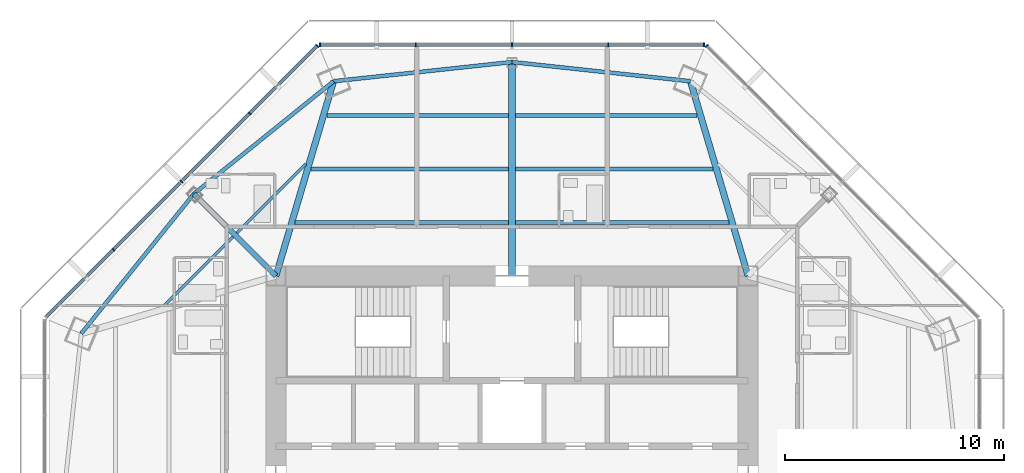
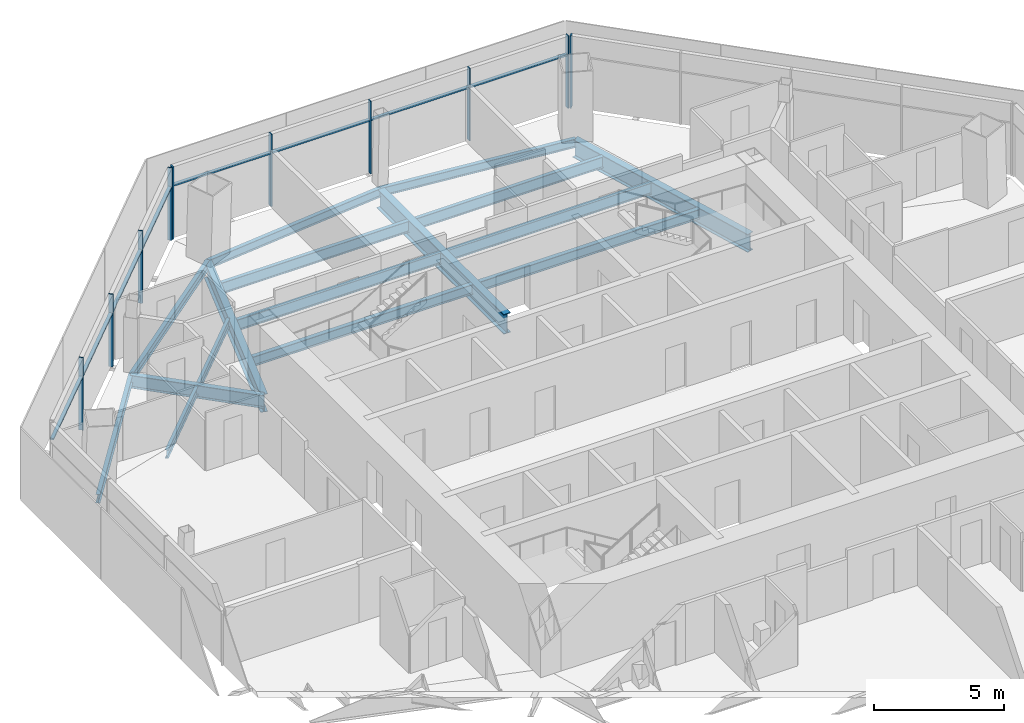
# One storey, part 6 of 15: 18 members, 16 beams, 3 elements without a shape of their own.
"""IFC4 building model written with IfcOpenShell, lengths in metres."""

from ifc_helpers import new_model, si_unit, direction, frame, origin, origin_2d, place, context, subcontext, project, spatial, rectangle, i_section, extrude, source, transform, mapped, material, material_profile, profile_set, type_object, type_shapes, element, aggregate, save


model = new_model("IFC4")

# Units and contexts
model_context = context("Model", 3, precision=1e-05, world=origin(), true_north=direction((0.0, 1.0)))
body_context = subcontext(model_context, "Body", "Model", "MODEL_VIEW")
ifc_project = project(units=[si_unit("LENGTHUNIT", "METRE"), si_unit("AREAUNIT", "SQUARE_METRE"), si_unit("VOLUMEUNIT", "CUBIC_METRE"), si_unit("PLANEANGLEUNIT", "RADIAN"), si_unit("MASSUNIT", "GRAM", prefix="KILO")], contexts=[model_context])

# Site, building, storey
site_placement = place(None, origin())
site = spatial("IfcSite", under=ifc_project, at=site_placement, CompositionType="ELEMENT")
building_placement = place(site_placement, origin())
building = spatial("IfcBuilding", under=site, at=building_placement, Name="Mashrafa Tower", CompositionType="ELEMENT")
storey_placement = place(building_placement, frame((0.0, 0.0, 234.60009765625)))
storey = spatial("IfcBuildingStorey", under=building, at=storey_placement, Name="L55", CompositionType="ELEMENT", Elevation=234.60009765625)

# Beams
ifc_material_1 = material(Name="Steel ASTM A992", Category="steel")
ifc_material_profile_1 = material_profile(ifc_material_1, i_section(OverallWidth=0.140380859375, OverallDepth=0.40380859375, WebThickness=0.007080078125, FlangeThickness=0.01123046875, FilletRadius=0.01025390625, at=origin_2d()), Name="W16X31")
ifc_profile_set_1 = profile_set([ifc_material_profile_1], Name="Steel ASTM A992")
beam_type_1 = type_object("IfcBeamType", Name="Beam W16X31", PredefinedType="BEAM", material=ifc_profile_set_1)
for number, where, z_axis, x_axis, name in (
    (1, (-15.918701171875, 9.436279296875, -0.402099609375), (0.707106781187, 0.707106781187, 0.0), (-0.707106781187, 0.707106781187, 0.0), "Floor beam L55 003"),
    (2, (-12.5966796875, 12.75830078125, -0.402099609375), (0.707106781187, 0.707106781187, 0.0), (-0.707106781187, 0.707106781187, 0.0), "Floor beam L55 009"),
):
    element("IfcBeam", number, at=place(storey_placement, frame(where, z_axis=z_axis, x_axis=x_axis)), inside=storey, type_object=beam_type_1, Name=name, PredefinedType="BEAM", context=body_context, shape_type="SweptSolid", body=[
        extrude(i_section(OverallWidth=0.140380859375, OverallDepth=0.40380859375, WebThickness=0.007080078125, FlangeThickness=0.01123046875, FilletRadius=0.01025390625, at=origin_2d()), origin(), (0.0, 0.0, 1.0), 4.469482421875),
    ])
ifc_material_2 = material(Name="Steel ASTM A992", Category="steel")
ifc_material_profile_2 = material_profile(ifc_material_2, i_section(OverallWidth=0.177734375, OverallDepth=0.406494140625, WebThickness=0.0078125, FlangeThickness=0.012939453125, FilletRadius=0.01025390625, at=origin_2d()), Name="W16X40")
ifc_profile_set_2 = profile_set([ifc_material_profile_2], Name="Steel ASTM A992")
beam_type_2 = type_object("IfcBeamType", Name="Beam W16X40", PredefinedType="BEAM", material=ifc_profile_set_2)
for number, where, z_axis, x_axis, name in (
    (3, (-14.554931640625, 14.554931640625, -0.4033203125), (-0.627425720942, -0.778676418482, 0.0), (0.778676418482, -0.627425720942, 0.0), "Spandrel beam L55 053"),
    (4, (-8.162353515625, 19.705810546875, -0.4033203125), (-0.778676418482, -0.627425720942, 0.0), (0.627425720942, -0.778676418482, 0.0), "Spandrel beam L55 055"),
    (5, (0.0, 20.583984375, -0.4033203125), (-0.994262142726, -0.106970984578, 0.0), (0.106970984578, -0.994262142726, 0.0), "Spandrel beam L55 057"),
    (6, (8.162353515625, 19.705810546875, -0.4033203125), (-0.994262142726, 0.106970984578, 0.0), (-0.106970984578, -0.994262142726, 0.0), "Spandrel beam L55 059"),
):
    element("IfcBeam", number, at=place(storey_placement, frame(where, z_axis=z_axis, x_axis=x_axis)), inside=storey, type_object=beam_type_2, Name=name, PredefinedType="BEAM", context=body_context, shape_type="SweptSolid", body=[
        extrude(i_section(OverallWidth=0.177734375, OverallDepth=0.406494140625, WebThickness=0.0078125, FlangeThickness=0.012939453125, FilletRadius=0.01025390625, at=origin_2d()), origin(), (0.0, 0.0, 1.0), 8.20947265625),
    ])
ifc_material_3 = material(Name="Steel ASTM A992", Category="steel")
ifc_material_profile_3 = material_profile(ifc_material_3, i_section(OverallWidth=0.191162109375, OverallDepth=0.459716796875, WebThickness=0.010009765625, FlangeThickness=0.01611328125, FilletRadius=0.01025390625, at=origin_2d()), Name="W18X55")
ifc_profile_set_3 = profile_set([ifc_material_profile_3], Name="Steel ASTM A992")
beam_type_3 = type_object("IfcBeamType", Name="Beam W18X55", PredefinedType="BEAM", material=ifc_profile_set_3)
for number, where, z_axis, x_axis, name in (
    (7, (-9.92333984375, 13.24609375, -0.429931640625), (1.0, 0.0, 0.0), (0.0, 1.0, 0.0), "Floor beam L55 010"),
    (8, (0.15380859375, 13.24609375, -0.429931640625), (1.0, 0.0, 0.0), (0.0, 1.0, 0.0), "Floor beam L55 017"),
):
    element("IfcBeam", number, at=place(storey_placement, frame(where, z_axis=z_axis, x_axis=x_axis)), inside=storey, type_object=beam_type_3, Name=name, PredefinedType="BEAM", context=body_context, shape_type="SweptSolid", body=[
        extrude(i_section(OverallWidth=0.191162109375, OverallDepth=0.459716796875, WebThickness=0.010009765625, FlangeThickness=0.01611328125, FilletRadius=0.01025390625, at=origin_2d()), origin(), (0.0, 0.0, 1.0), 9.76953125),
    ])
ifc_material_4 = material(Name="Steel ASTM A992", Category="steel")
ifc_material_profile_4 = material_profile(ifc_material_4, i_section(OverallWidth=0.1650390625, OverallDepth=0.52587890625, WebThickness=0.0087890625, FlangeThickness=0.011474609375, FilletRadius=0.0126953125, at=origin_2d()), Name="W21X44")
ifc_profile_set_4 = profile_set([ifc_material_profile_4], Name="Steel ASTM A992")
beam_type_4 = type_object("IfcBeamType", Name="Beam W21X44", PredefinedType="BEAM", material=ifc_profile_set_4)
for number, where, z_axis, x_axis, name in (
    (9, (-9.198974609375, 15.69189453125, -0.462890625), (1.0, 0.0, 0.0), (0.0, 1.0, 0.0), "Floor beam L55 011"),
    (10, (0.15380859375, 15.69189453125, -0.462890625), (1.0, 0.0, 0.0), (0.0, 1.0, 0.0), "Floor beam L55 018"),
):
    element("IfcBeam", number, at=place(storey_placement, frame(where, z_axis=z_axis, x_axis=x_axis)), inside=storey, type_object=beam_type_4, Name=name, PredefinedType="BEAM", context=body_context, shape_type="SweptSolid", body=[
        extrude(i_section(OverallWidth=0.1650390625, OverallDepth=0.52587890625, WebThickness=0.0087890625, FlangeThickness=0.011474609375, FilletRadius=0.0126953125, at=origin_2d()), origin(), (0.0, 0.0, 1.0), 9.045166015625),
    ])
ifc_material_5 = material(Name="Steel ASTM A992", Category="steel")
ifc_material_profile_5 = material_profile(ifc_material_5, i_section(OverallWidth=0.165771484375, OverallDepth=0.5283203125, WebThickness=0.009765625, FlangeThickness=0.013671875, FilletRadius=0.012939453125, at=origin_2d()), Name="W21X50")
ifc_profile_set_5 = profile_set([ifc_material_profile_5], Name="Steel ASTM A992")
beam_type_5 = type_object("IfcBeamType", Name="Beam W21X50", PredefinedType="BEAM", material=ifc_profile_set_5)
for number, where, z_axis, x_axis, name in (
    (11, (-8.474365234375, 18.137939453125, -0.46435546875), (1.0, 0.0, 0.0), (0.0, 1.0, 0.0), "Floor beam L55 013"),
    (12, (0.15380859375, 18.137939453125, -0.46435546875), (1.0, 0.0, 0.0), (0.0, 1.0, 0.0), "Floor beam L55 019"),
):
    element("IfcBeam", number, at=place(storey_placement, frame(where, z_axis=z_axis, x_axis=x_axis)), inside=storey, type_object=beam_type_5, Name=name, PredefinedType="BEAM", context=body_context, shape_type="SweptSolid", body=[
        extrude(i_section(OverallWidth=0.165771484375, OverallDepth=0.5283203125, WebThickness=0.009765625, FlangeThickness=0.013671875, FilletRadius=0.012939453125, at=origin_2d()), origin(), (0.0, 0.0, 1.0), 8.320556640625),
    ])
ifc_material_6 = material(Name="Steel ASTM A992", Category="steel")
ifc_material_profile_6 = material_profile(ifc_material_6, i_section(OverallWidth=0.228271484375, OverallDepth=0.607177734375, WebThickness=0.01123046875, FlangeThickness=0.017333984375, FilletRadius=0.0126953125, at=origin_2d()), Name="W24X76")
ifc_profile_set_6 = profile_set([ifc_material_profile_6], Name="Steel ASTM A992")
beam_type_6 = type_object("IfcBeamType", Name="Beam W24X76", PredefinedType="BEAM", material=ifc_profile_set_6)
beam_1_placement = place(storey_placement, frame((-10.800048828125, 10.800048828125, -0.503662109375), z_axis=(-0.707106781187, 0.707106781187, 0.0), x_axis=(-0.707106781187, -0.707106781187, 0.0)))
element("IfcBeam", 13, at=beam_1_placement, inside=storey, type_object=beam_type_6, Name="Radial girder L55 038", PredefinedType="BEAM", context=body_context, shape_type="SweptSolid", body=[
    extrude(i_section(OverallWidth=0.228271484375, OverallDepth=0.607177734375, WebThickness=0.01123046875, FlangeThickness=0.017333984375, FilletRadius=0.0126953125, at=origin_2d()), origin(), (0.0, 0.0, 1.0), 5.310302734375),
])
ifc_material_7 = material(Name="Steel ASTM A992", Category="steel")
ifc_material_profile_7 = material_profile(ifc_material_7, i_section(OverallWidth=0.2919921875, OverallDepth=0.845703125, WebThickness=0.015380859375, FlangeThickness=0.0244140625, FilletRadius=0.017333984375, at=origin_2d()), Name="W33X141")
ifc_profile_set_7 = profile_set([ifc_material_profile_7], Name="Steel ASTM A992")
beam_type_7 = type_object("IfcBeamType", Name="Beam W33X141", PredefinedType="BEAM", material=ifc_profile_set_7)
for number, where, z_axis, x_axis, name in (
    (14, (-10.800048828125, 10.800048828125, -0.623046875), (0.283984513375, 0.958828866985, 0.0), (-0.958828866985, 0.283984513375, 0.0), "Radial girder L55 039"),
    (15, (10.800048828125, 10.800048828125, -0.623046875), (-0.283984513375, 0.958828866985, 0.0), (-0.958828866985, -0.283984513375, 0.0), "Radial girder L55 046"),
):
    element("IfcBeam", number, at=place(storey_placement, frame(where, z_axis=z_axis, x_axis=x_axis)), inside=storey, type_object=beam_type_7, Name=name, PredefinedType="BEAM", context=body_context, shape_type="SweptSolid", body=[
        extrude(i_section(OverallWidth=0.2919921875, OverallDepth=0.845703125, WebThickness=0.015380859375, FlangeThickness=0.0244140625, FilletRadius=0.017333984375, at=origin_2d()), origin(), (0.0, 0.0, 1.0), 9.2880859375),
    ])
ifc_material_8 = material(Name="Steel ASTM A992", Category="steel")
ifc_material_profile_8 = material_profile(ifc_material_8, i_section(OverallWidth=0.307373046875, OverallDepth=0.927001953125, WebThickness=0.01953125, FlangeThickness=0.031982421875, FilletRadius=0.01904296875, at=origin_2d()), Name="W36X194")
ifc_profile_set_8 = profile_set([ifc_material_profile_8], Name="Steel ASTM A992")
beam_type_8 = type_object("IfcBeamType", Name="Beam W36X194", PredefinedType="BEAM", material=ifc_profile_set_8)
beam_2_placement = place(storey_placement, frame((0.0, 10.800048828125, -0.66357421875), z_axis=(0.0, 1.0, 0.0), x_axis=(-1.0, 0.0, 0.0)))
element("IfcBeam", 16, at=beam_2_placement, inside=storey, type_object=beam_type_8, Name="Radial girder L55 041", PredefinedType="BEAM", context=body_context, shape_type="SweptSolid", body=[
    extrude(i_section(OverallWidth=0.307373046875, OverallDepth=0.927001953125, WebThickness=0.01953125, FlangeThickness=0.031982421875, FilletRadius=0.01904296875, at=origin_2d()), origin(), (0.0, 0.0, 1.0), 9.783935546875),
])

# Curtain wall, member
ifc_material_9 = material(Name="Unitised aluminium curtain wall", Category="aluminium")
curtain_wall_type = type_object("IfcCurtainWallType", Name="Apartment curtain wall, zone 3 CW-C 180 deep", PredefinedType="NOTDEFINED", material=ifc_material_9)
curtain_wall_1_placement = place(storey_placement, origin())
curtain_wall_1 = element("IfcCurtainWall", 17, at=curtain_wall_1_placement, inside=storey, type_object=curtain_wall_type, Name="Apartment curtain wall, zone 3 L55 north-east", PredefinedType="NOTDEFINED")
ifc_material_10 = material(Name="Extruded aluminium mullion", Category="aluminium")
ifc_material_profile_9 = material_profile(ifc_material_10, rectangle(XDim=0.179931640625, YDim=0.06005859375, at=origin_2d()), Name="Mullion 60x180")
ifc_profile_set_9 = profile_set([ifc_material_profile_9], Name="Extruded aluminium mullion")
member_type_1 = type_object("IfcMemberType", Name="Mullion CW-C 60 x 180", PredefinedType="MULLION", material=ifc_profile_set_9)
shared_shape_1 = source(origin(), body_context, "Body", "SweptSolid", [
    extrude(rectangle(XDim=0.179931640625, YDim=0.06005859375, at=origin_2d()), origin(), (0.0, 0.0, 1.0), 3.39990234375),
])
type_shapes(member_type_1, [shared_shape_1])
member_1_placement = place(storey_placement, frame((8.909912109375, 21.323486328125, 0.0), z_axis=(0.0, 0.0, 1.0), x_axis=(-0.707106781187, -0.707106781187, 0.0)))
member_1 = element("IfcMember", 18, at=member_1_placement, type_object=member_type_1, Name="CW-C mullion 5", PredefinedType="MULLION", context=body_context, shape_type="MappedRepresentation", body=[
    mapped(shared_shape_1, transform((0.0, 0.0, 0.0))),
])
aggregate(curtain_wall_1, [member_1])

# Curtain wall, members
curtain_wall_2_placement = place(storey_placement, origin())
curtain_wall_2 = element("IfcCurtainWall", 19, at=curtain_wall_2_placement, inside=storey, type_object=curtain_wall_type, Name="Apartment curtain wall, zone 3 L55 north", PredefinedType="NOTDEFINED")
member_2_placement = place(storey_placement, frame((8.77783203125, 21.378173828125, 0.0), z_axis=(0.0, 0.0, 1.0), x_axis=(0.0, -1.0, 0.0)))
member_2 = element("IfcMember", 20, at=member_2_placement, type_object=member_type_1, Name="CW-C mullion 1", PredefinedType="MULLION", context=body_context, shape_type="MappedRepresentation", body=[
    mapped(shared_shape_1, transform((0.0, 0.0, 0.0))),
])
member_3_placement = place(storey_placement, frame((4.404052734375, 21.378173828125, 0.0), z_axis=(0.0, 0.0, 1.0), x_axis=(0.0, -1.0, 0.0)))
member_3 = element("IfcMember", 21, at=member_3_placement, type_object=member_type_1, Name="CW-C mullion 2", PredefinedType="MULLION", context=body_context, shape_type="MappedRepresentation", body=[
    mapped(shared_shape_1, transform((0.0, 0.0, 0.0))),
])
member_4_placement = place(storey_placement, frame((0.0, 21.378173828125, 0.0), z_axis=(0.0, 0.0, 1.0), x_axis=(0.0, -1.0, 0.0)))
member_4 = element("IfcMember", 22, at=member_4_placement, type_object=member_type_1, Name="CW-C mullion 3", PredefinedType="MULLION", context=body_context, shape_type="MappedRepresentation", body=[
    mapped(shared_shape_1, transform((0.0, 0.0, 0.0))),
])
member_5_placement = place(storey_placement, frame((-4.404052734375, 21.378173828125, 0.0), z_axis=(0.0, 0.0, 1.0), x_axis=(0.0, -1.0, 0.0)))
member_5 = element("IfcMember", 23, at=member_5_placement, type_object=member_type_1, Name="CW-C mullion 4", PredefinedType="MULLION", context=body_context, shape_type="MappedRepresentation", body=[
    mapped(shared_shape_1, transform((0.0, 0.0, 0.0))),
])
member_6_placement = place(storey_placement, frame((-8.77783203125, 21.378173828125, 0.0), z_axis=(0.0, 0.0, 1.0), x_axis=(0.0, -1.0, 0.0)))
member_6 = element("IfcMember", 24, at=member_6_placement, type_object=member_type_1, Name="CW-C mullion 5", PredefinedType="MULLION", context=body_context, shape_type="MappedRepresentation", body=[
    mapped(shared_shape_1, transform((0.0, 0.0, 0.0))),
])

curtain_wall_3_placement = place(storey_placement, origin())
curtain_wall_3 = element("IfcCurtainWall", 25, at=curtain_wall_3_placement, inside=storey, type_object=curtain_wall_type, Name="Apartment curtain wall, zone 3 L55 north-west", PredefinedType="NOTDEFINED")
member_7_placement = place(storey_placement, frame((-8.909912109375, 21.323486328125, 0.0), z_axis=(0.0, 0.0, 1.0), x_axis=(0.707106781187, -0.707106781187, 0.0)))
member_7 = element("IfcMember", 26, at=member_7_placement, type_object=member_type_1, Name="CW-C mullion 1", PredefinedType="MULLION", context=body_context, shape_type="MappedRepresentation", body=[
    mapped(shared_shape_1, transform((0.0, 0.0, 0.0))),
])
member_8_placement = place(storey_placement, frame((-12.002685546875, 18.230712890625, 0.0), z_axis=(0.0, 0.0, 1.0), x_axis=(0.707106781187, -0.707106781187, 0.0)))
member_8 = element("IfcMember", 27, at=member_8_placement, type_object=member_type_1, Name="CW-C mullion 2", PredefinedType="MULLION", context=body_context, shape_type="MappedRepresentation", body=[
    mapped(shared_shape_1, transform((0.0, 0.0, 0.0))),
])
member_9_placement = place(storey_placement, frame((-15.11669921875, 15.11669921875, 0.0), z_axis=(0.0, 0.0, 1.0), x_axis=(0.707106781187, -0.707106781187, 0.0)))
member_9 = element("IfcMember", 28, at=member_9_placement, type_object=member_type_1, Name="CW-C mullion 3", PredefinedType="MULLION", context=body_context, shape_type="MappedRepresentation", body=[
    mapped(shared_shape_1, transform((0.0, 0.0, 0.0))),
])
member_10_placement = place(storey_placement, frame((-18.230712890625, 12.002685546875, 0.0), z_axis=(0.0, 0.0, 1.0), x_axis=(0.707106781187, -0.707106781187, 0.0)))
member_10 = element("IfcMember", 29, at=member_10_placement, type_object=member_type_1, Name="CW-C mullion 4", PredefinedType="MULLION", context=body_context, shape_type="MappedRepresentation", body=[
    mapped(shared_shape_1, transform((0.0, 0.0, 0.0))),
])

# Member
ifc_material_11 = material(Name="Extruded aluminium transom", Category="aluminium")
ifc_material_profile_10 = material_profile(ifc_material_11, rectangle(XDim=0.14404296875, YDim=0.074951171875, at=origin_2d()), Name="Transom 75x144")
ifc_profile_set_10 = profile_set([ifc_material_profile_10], Name="Extruded aluminium transom")
member_type_2 = type_object("IfcMemberType", Name="Transom CW-C 75 x 144", PredefinedType="MULLION", material=ifc_profile_set_10)
shared_shape_2 = source(origin(), body_context, "Body", "SweptSolid", [
    extrude(rectangle(XDim=0.14404296875, YDim=0.074951171875, at=origin_2d()), origin(), (0.0, 0.0, 1.0), 4.31396484375),
])
member_11_placement = place(storey_placement, frame((8.747802734375, 21.378173828125, 2.5), z_axis=(-1.0, 0.0, 0.0), x_axis=(0.0, -1.0, 0.0)))
member_11 = element("IfcMember", 30, at=member_11_placement, type_object=member_type_2, Name="CW-C transom 1", PredefinedType="MULLION", context=body_context, shape_type="MappedRepresentation", body=[
    mapped(shared_shape_2, transform((0.0, 0.0, 0.0))),
])

member_12_placement = place(storey_placement, frame((-4.433837890625, 21.378173828125, 2.5), z_axis=(-1.0, 0.0, 0.0), x_axis=(0.0, -1.0, 0.0)))
member_12 = element("IfcMember", 31, at=member_12_placement, type_object=member_type_2, Name="CW-C transom 4", PredefinedType="MULLION", context=body_context, shape_type="MappedRepresentation", body=[
    mapped(shared_shape_2, transform((0.0, 0.0, 0.0))),
])

member_13_placement = place(storey_placement, frame((-8.930908203125, 21.30224609375, 2.5), z_axis=(-0.707135077342, -0.707078483899, 0.0), x_axis=(0.707078483899, -0.707135077342, 0.0)))
member_13 = element("IfcMember", 32, at=member_13_placement, type_object=member_type_2, Name="CW-C transom 1", PredefinedType="MULLION", context=body_context, shape_type="MappedRepresentation", body=[
    mapped(shared_shape_2, transform((0.0, 0.0, 0.0))),
])

member_14_placement = place(storey_placement, frame((-18.251953125, 11.9814453125, 2.5), z_axis=(-0.707078483899, -0.707135077342, 0.0), x_axis=(0.707135077342, -0.707078483899, 0.0)))
member_14 = element("IfcMember", 33, at=member_14_placement, type_object=member_type_2, Name="CW-C transom 4", PredefinedType="MULLION", context=body_context, shape_type="MappedRepresentation", body=[
    mapped(shared_shape_2, transform((0.0, 0.0, 0.0))),
])

shared_shape_3 = source(origin(), body_context, "Body", "SweptSolid", [
    extrude(rectangle(XDim=0.14404296875, YDim=0.074951171875, at=origin_2d()), origin(), (0.0, 0.0, 1.0), 4.343994140625),
])
member_15_placement = place(storey_placement, frame((4.3740234375, 21.378173828125, 2.5), z_axis=(-1.0, 0.0, 0.0), x_axis=(0.0, -1.0, 0.0)))
member_15 = element("IfcMember", 34, at=member_15_placement, type_object=member_type_2, Name="CW-C transom 2", PredefinedType="MULLION", context=body_context, shape_type="MappedRepresentation", body=[
    mapped(shared_shape_3, transform((0.0, 0.0, 0.0))),
])

member_16_placement = place(storey_placement, frame((-0.030029296875, 21.378173828125, 2.5), z_axis=(-1.0, 0.0, 0.0), x_axis=(0.0, -1.0, 0.0)))
member_16 = element("IfcMember", 35, at=member_16_placement, type_object=member_type_2, Name="CW-C transom 3", PredefinedType="MULLION", context=body_context, shape_type="MappedRepresentation", body=[
    mapped(shared_shape_3, transform((0.0, 0.0, 0.0))),
])

aggregate(curtain_wall_2, [member_2, member_3, member_4, member_5, member_6, member_11, member_15, member_16, member_12])

shared_shape_4 = source(origin(), body_context, "Body", "SweptSolid", [
    extrude(rectangle(XDim=0.14404296875, YDim=0.074951171875, at=origin_2d()), origin(), (0.0, 0.0, 1.0), 4.34375),
])
type_shapes(member_type_2, [shared_shape_2, shared_shape_3, shared_shape_4])
member_17_placement = place(storey_placement, frame((-12.02392578125, 18.20947265625, 2.5), z_axis=(-0.707106781187, -0.707106781187, 0.0), x_axis=(0.707106781187, -0.707106781187, 0.0)))
member_17 = element("IfcMember", 36, at=member_17_placement, type_object=member_type_2, Name="CW-C transom 2", PredefinedType="MULLION", context=body_context, shape_type="MappedRepresentation", body=[
    mapped(shared_shape_4, transform((0.0, 0.0, 0.0))),
])

member_18_placement = place(storey_placement, frame((-15.137939453125, 15.095458984375, 2.5), z_axis=(-0.707106781187, -0.707106781187, 0.0), x_axis=(0.707106781187, -0.707106781187, 0.0)))
member_18 = element("IfcMember", 37, at=member_18_placement, type_object=member_type_2, Name="CW-C transom 3", PredefinedType="MULLION", context=body_context, shape_type="MappedRepresentation", body=[
    mapped(shared_shape_4, transform((0.0, 0.0, 0.0))),
])

aggregate(curtain_wall_3, [member_7, member_8, member_9, member_10, member_13, member_17, member_18, member_14])

save(model, "model.ifc")
